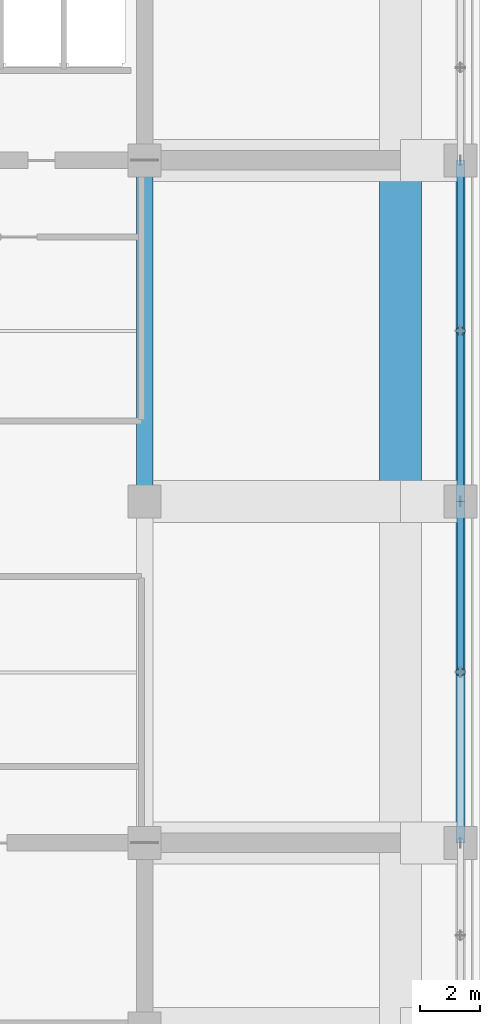
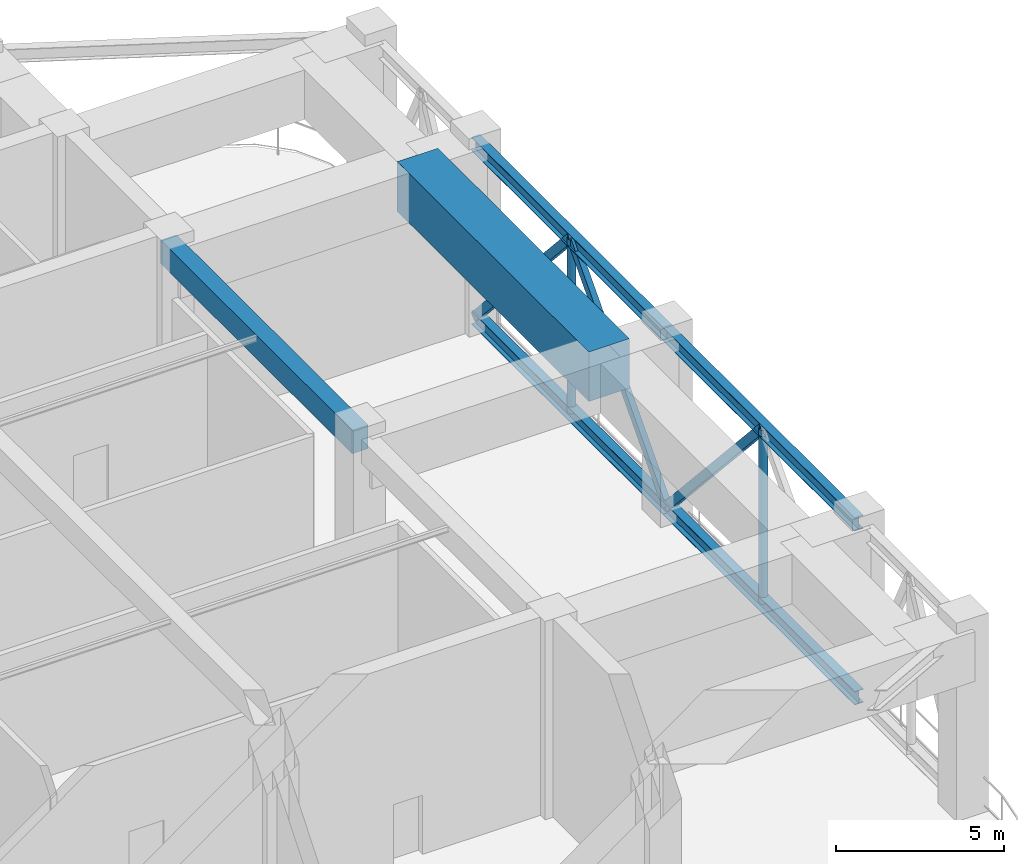
# One storey, part 7 of 20: 6 beams, 5 members.
"""IFC4 building model written with IfcOpenShell, lengths in metres."""

from ifc_helpers import new_model, si_unit, direction, frame, origin, origin_2d, place, context, subcontext, project, spatial, rectangle, hollow_rectangle, hollow_circle, i_section, extrude, material, material_profile, profile_set, type_object, element, save


model = new_model("IFC4")

# Units and contexts
model_context = context("Model", 3, precision=1e-05, world=origin(), true_north=direction((0.0, 1.0)))
body_context = subcontext(model_context, "Body", "Model", "MODEL_VIEW")
ifc_project = project(units=[si_unit("LENGTHUNIT", "METRE"), si_unit("AREAUNIT", "SQUARE_METRE"), si_unit("VOLUMEUNIT", "CUBIC_METRE"), si_unit("PLANEANGLEUNIT", "RADIAN"), si_unit("MASSUNIT", "GRAM", prefix="KILO")], contexts=[model_context])

# Site, building, storey
site_placement = place(None, origin())
site = spatial("IfcSite", under=ifc_project, at=site_placement, CompositionType="ELEMENT")
building_placement = place(site_placement, origin())
building = spatial("IfcBuilding", under=site, at=building_placement, Name="Svetorya Sky Lyceum", CompositionType="ELEMENT")
storey_placement = place(building_placement, frame((0.0, 0.0, 136.39990234375)))
storey = spatial("IfcBuildingStorey", under=building, at=storey_placement, Name="L34", CompositionType="ELEMENT", Elevation=136.39990234375)

# Beams
ifc_material_1 = material(Name="Concrete C50/60", Category="concrete")
ifc_material_profile_1 = material_profile(ifc_material_1, rectangle(XDim=0.550048828125, YDim=0.85009765625, at=origin_2d()), Name="RC BEAM 550x850")
ifc_profile_set_1 = profile_set([ifc_material_profile_1], Name="Concrete C50/60")
beam_type_1 = type_object("IfcBeamType", Name="BM-RC-850", PredefinedType="BEAM", material=ifc_profile_set_1)
beam_1_placement = place(storey_placement, frame((52.800048828125, 28.199951171875, 6.375), z_axis=(0.0, 1.0, 0.0), x_axis=(-1.0, 0.0, 0.0)))
element("IfcBeam", 1, at=beam_1_placement, inside=storey, type_object=beam_type_1, Name="L34 Central Bay Primary Girder CG-4B", PredefinedType="BEAM", context=body_context, shape_type="SweptSolid", body=[
    extrude(rectangle(XDim=0.550048828125, YDim=0.85009765625, at=origin_2d()), origin(), (0.0, 0.0, 1.0), 11.400146484375),
])
ifc_material_2 = material(Name="Steel S355", Category="steel")
ifc_material_profile_2 = material_profile(ifc_material_2, i_section(OverallWidth=0.300048828125, OverallDepth=0.491943359375, WebThickness=0.012939453125, FlangeThickness=0.0205078125, at=origin_2d()), Name="GOST 50Sh2")
ifc_profile_set_2 = profile_set([ifc_material_profile_2], Name="Steel S355")
beam_type_2 = type_object("IfcBeamType", Name="BM-STL-50SH2", PredefinedType="BEAM", material=ifc_profile_set_2)
for number, where, z_axis, x_axis, name in (
    (2, (63.35009765625, 16.800048828125, 0.24609375), (0.0, 1.0, 0.0), (-1.0, 0.0, 0.0), "L34 Belt Truss Bottom Chord E-2"),
    (3, (63.35009765625, 16.800048828125, 6.55419921875), (0.0, 1.0, 0.0), (-1.0, 0.0, 0.0), "L34 Belt Truss Top Chord E-2"),
):
    element("IfcBeam", number, at=place(storey_placement, frame(where, z_axis=z_axis, x_axis=x_axis)), inside=storey, type_object=beam_type_2, Name=name, PredefinedType="BEAM", context=body_context, shape_type="SweptSolid", body=[
        extrude(i_section(OverallWidth=0.300048828125, OverallDepth=0.491943359375, WebThickness=0.012939453125, FlangeThickness=0.0205078125, at=origin_2d()), origin(), (0.0, 0.0, 1.0), 11.39990234375),
    ])
for number, where, z_axis, x_axis, name in (
    (4, (63.35009765625, 28.199951171875, 0.24609375), (0.0, 1.0, 0.0), (-1.0, 0.0, 0.0), "L34 Belt Truss Bottom Chord E-3"),
    (5, (63.35009765625, 28.199951171875, 6.55419921875), (0.0, 1.0, 0.0), (-1.0, 0.0, 0.0), "L34 Belt Truss Top Chord E-3"),
):
    element("IfcBeam", number, at=place(storey_placement, frame(where, z_axis=z_axis, x_axis=x_axis)), inside=storey, type_object=beam_type_2, Name=name, PredefinedType="BEAM", context=body_context, shape_type="SweptSolid", body=[
        extrude(i_section(OverallWidth=0.300048828125, OverallDepth=0.491943359375, WebThickness=0.012939453125, FlangeThickness=0.0205078125, at=origin_2d()), origin(), (0.0, 0.0, 1.0), 11.400146484375),
    ])
ifc_material_3 = material(Name="Concrete C60/75", Category="concrete")
ifc_material_profile_3 = material_profile(ifc_material_3, rectangle(XDim=1.39990234375, YDim=1.800048828125, at=origin_2d()), Name="RC TRANSFER 1400x1800")
ifc_profile_set_3 = profile_set([ifc_material_profile_3], Name="Concrete C60/75")
beam_type_3 = type_object("IfcBeamType", Name="BM-TRF-2200", PredefinedType="BEAM", material=ifc_profile_set_3)
beam_2_placement = place(storey_placement, frame((61.35009765625, 28.199951171875, 5.900146484375), z_axis=(0.0, 1.0, 0.0), x_axis=(-1.0, 0.0, 0.0)))
element("IfcBeam", 6, at=beam_2_placement, inside=storey, type_object=beam_type_3, Name="L34 East Setback Transfer Girder 3", PredefinedType="BEAM", context=body_context, shape_type="SweptSolid", body=[
    extrude(rectangle(XDim=1.39990234375, YDim=1.800048828125, at=origin_2d()), origin(), (0.0, 0.0, 1.0), 11.400146484375),
])

# Members
ifc_material_profile_4 = material_profile(ifc_material_2, hollow_rectangle(XDim=0.199951171875, YDim=0.300048828125, WallThickness=0.011962890625, at=origin_2d()), Name="RHS 300x200x12")
ifc_profile_set_4 = profile_set([ifc_material_profile_4], Name="Steel S355")
member_type_1 = type_object("IfcMemberType", Name="MB-BRC-RHS300", PredefinedType="BRACE", material=ifc_profile_set_4)
for number, where, z_axis, x_axis, name in (
    (7, (63.35009765625, 28.199951171875, 0.24609375), (0.0, -0.670435716406, 0.7419676207), (1.0, 0.0, 0.0), "L34 Belt Truss Diagonal E-2B"),
    (8, (63.35009765625, 28.199951171875, 0.24609375), (0.0, 0.670435716406, 0.7419676207), (-1.0, 0.0, 0.0), "L34 Belt Truss Diagonal E-3A"),
    (9, (63.35009765625, 39.60009765625, 0.24609375), (0.0, -0.670451524642, 0.741953336205), (1.0, 0.0, 0.0), "L34 Belt Truss Diagonal E-3B"),
):
    element("IfcMember", number, at=place(storey_placement, frame(where, z_axis=z_axis, x_axis=x_axis)), inside=storey, type_object=member_type_1, Name=name, PredefinedType="BRACE", context=body_context, shape_type="SweptSolid", body=[
        extrude(hollow_rectangle(XDim=0.199951171875, YDim=0.300048828125, WallThickness=0.011962890625, at=origin_2d()), origin(), (0.0, 0.0, 1.0), 8.501953125),
    ])
ifc_material_profile_5 = material_profile(ifc_material_2, hollow_circle(Radius=0.136474609375, WallThickness=0.011962890625, at=origin_2d()), Name="CHS 273x12")
ifc_profile_set_5 = profile_set([ifc_material_profile_5], Name="Steel S355")
member_type_2 = type_object("IfcMemberType", Name="MB-STR-CHS273", PredefinedType="STRUT", material=ifc_profile_set_5)
for number, where, z_axis, x_axis, name in (
    (10, (63.35009765625, 22.5, 0.24609375), (0.0, 0.0, 1.0), (1.0, 0.0, 0.0), "L34 Belt Truss Post E-2"),
    (11, (63.35009765625, 33.89990234375, 0.24609375), (0.0, 0.0, 1.0), (1.0, 0.0, 0.0), "L34 Belt Truss Post E-3"),
):
    element("IfcMember", number, at=place(storey_placement, frame(where, z_axis=z_axis, x_axis=x_axis)), inside=storey, type_object=member_type_2, Name=name, PredefinedType="STRUT", context=body_context, shape_type="SweptSolid", body=[
        extrude(hollow_circle(Radius=0.136474609375, WallThickness=0.011962890625, at=origin_2d()), origin(), (0.0, 0.0, 1.0), 6.30810546875),
    ])

save(model, "model.ifc")
